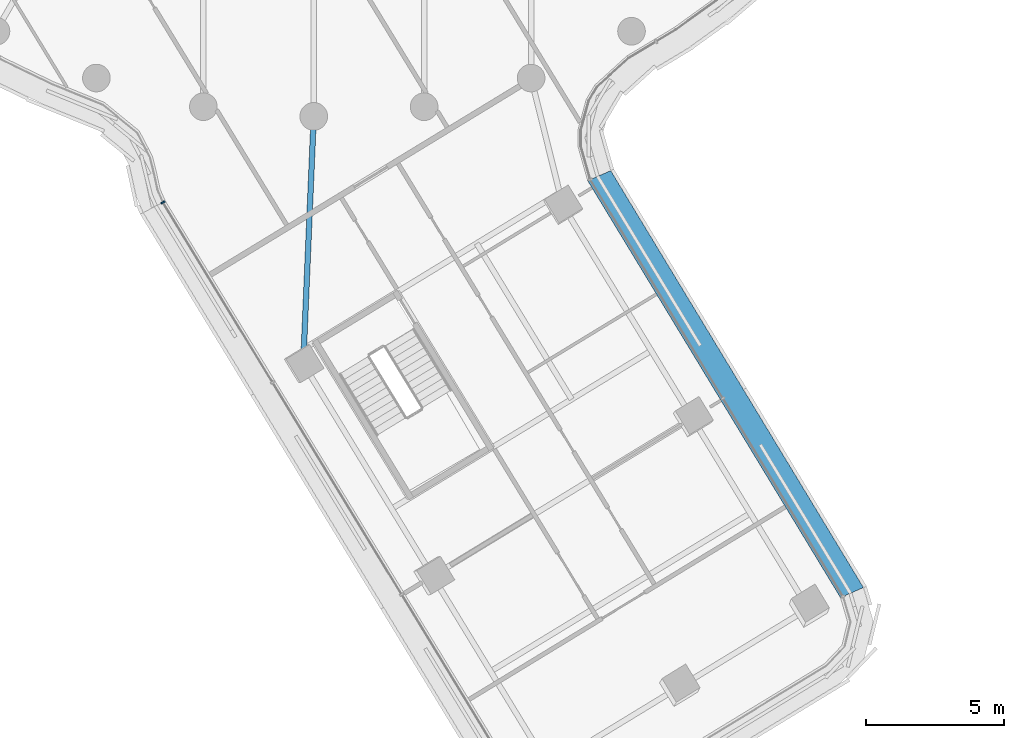
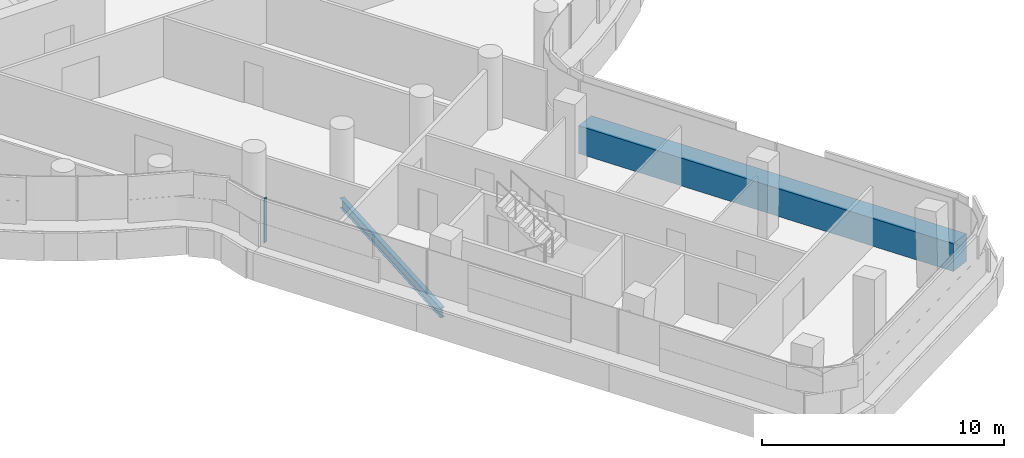
# One storey, part 4 of 35: 2 members, 1 beam, 2 elements without a shape of their own.
"""IFC4 building model written with IfcOpenShell, lengths in metres."""

from ifc_helpers import new_model, si_unit, direction, frame, origin, origin_2d, place, context, subcontext, project, spatial, polyline, rectangle, i_section, outline, extrude, material, layer, layer_set, material_profile, profile_set, type_object, element, aggregate, save


model = new_model("IFC4")

# Units and contexts
model_context = context("Model", 3, precision=1e-05, world=origin(), true_north=direction((0.0, 1.0)))
body_context = subcontext(model_context, "Body", "Model", "MODEL_VIEW")
ifc_project = project(units=[si_unit("LENGTHUNIT", "METRE"), si_unit("AREAUNIT", "SQUARE_METRE"), si_unit("VOLUMEUNIT", "CUBIC_METRE"), si_unit("PLANEANGLEUNIT", "RADIAN"), si_unit("MASSUNIT", "GRAM", prefix="KILO")], contexts=[model_context])

# Site, building, storey
site_placement = place(None, origin())
site = spatial("IfcSite", under=ifc_project, at=site_placement, CompositionType="ELEMENT")
building_placement = place(site_placement, origin())
building = spatial("IfcBuilding", under=site, at=building_placement, Name="Tamarind Cross Interchange Tower", CompositionType="ELEMENT")
storey_placement = place(building_placement, frame((0.0, 0.0, 148.0)))
storey = spatial("IfcBuildingStorey", under=building, at=storey_placement, Name="L36", CompositionType="ELEMENT", Elevation=148.0)

# Beam
ifc_material_1 = material(Name="Steel Q355B", Category="steel")
ifc_material_profile_1 = material_profile(ifc_material_1, i_section(OverallWidth=0.198974609375, OverallDepth=0.49609375, WebThickness=0.009033203125, FlangeThickness=0.013916015625, FilletRadius=0.012939453125, at=origin_2d()), Name="HN 496x199x9x14")
ifc_profile_set_1 = profile_set([ifc_material_profile_1], Name="Steel Q355B")
beam_type = type_object("IfcBeamType", Name="Composite beam HN 496x199x9x14 Q355B", PredefinedType="BEAM", material=ifc_profile_set_1)
beam_placement = place(storey_placement, frame((-0.3798828125, -31.94970703125, -0.387939453125), z_axis=(0.04240821025, 0.999100367182, 0.0), x_axis=(-0.999100367182, 0.04240821025, 0.0)))
element("IfcBeam", 1, at=beam_placement, inside=storey, type_object=beam_type, Name="Beam S-linkem", PredefinedType="BEAM", context=body_context, shape_type="SweptSolid", body=[
    extrude(i_section(OverallWidth=0.198974609375, OverallDepth=0.49609375, WebThickness=0.009033203125, FlangeThickness=0.013916015625, FilletRadius=0.012939453125, at=origin_2d()), origin(), (0.0, 0.0, 1.0), 8.957763671875),
])

# Curtain wall, member
ifc_material_2 = material(Name="Aluminium 6063-T6", Category="aluminium")
ifc_layer = layer(ifc_material_2, 0.159912109375)
ifc_layer_set = layer_set([ifc_layer], Name="Aluminium 6063-T6")
curtain_wall_type = type_object("IfcCurtainWallType", Name="Office curtain wall, 9.0 m bays", PredefinedType="NOTDEFINED", material=ifc_layer_set)
curtain_wall_1_placement = place(storey_placement, origin())
curtain_wall_1 = element("IfcCurtainWall", 2, at=curtain_wall_1_placement, inside=storey, type_object=curtain_wall_type, Name="CWS-L36-05", PredefinedType="NOTDEFINED")
ifc_material_3 = material(Name="Aluminium and insulated spandrel panel", Category="aluminium")
member_type_1 = type_object("IfcMemberType", Name="Floor-edge blade transom", PredefinedType="USERDEFINED", material=ifc_material_3)
member_1_placement = place(storey_placement, origin())
member_1 = element("IfcMember", 3, at=member_1_placement, type_object=member_type_1, Name="CWT-L36-05", ObjectType="TRANSOM", PredefinedType="USERDEFINED", context=body_context, shape_type="SweptSolid", body=[
    extrude(outline(polyline([(19.06201171875, -40.4169921875), (9.91357421875, -25.32666015625), (10.74609375, -24.964111328125), (19.892578125, -40.051025390625), (19.06201171875, -40.4169921875)])), origin(), (0.0, 0.0, 1.0), 1.39990234375),
])
aggregate(curtain_wall_1, [member_1])

curtain_wall_2_placement = place(storey_placement, origin())
curtain_wall_2 = element("IfcCurtainWall", 4, at=curtain_wall_2_placement, inside=storey, type_object=curtain_wall_type, Name="CWS-L36-03", PredefinedType="NOTDEFINED")
ifc_material_profile_2 = material_profile(ifc_material_2, rectangle(XDim=0.06005859375, YDim=0.159912109375, at=origin_2d()), Name="Mullion CW1")
ifc_profile_set_2 = profile_set([ifc_material_profile_2], Name="Aluminium 6063-T6")
member_type_2 = type_object("IfcMemberType", Name="Mullion CW1", PredefinedType="MULLION", material=ifc_profile_set_2)
member_2_placement = place(storey_placement, frame((-5.45849609375, -26.110595703125, 1.39990234375), z_axis=(0.0, 0.0, 1.0), x_axis=(0.463203229558, -0.886252090619, 0.0)))
member_2 = element("IfcMember", 5, at=member_2_placement, type_object=member_type_2, Name="CWM-L36-03-00", PredefinedType="MULLION", context=body_context, shape_type="SweptSolid", body=[
    extrude(rectangle(XDim=0.06005859375, YDim=0.159912109375, at=origin_2d()), origin(), (0.0, 0.0, 1.0), 2.210205078125),
])
aggregate(curtain_wall_2, [member_2])

save(model, "model.ifc")
